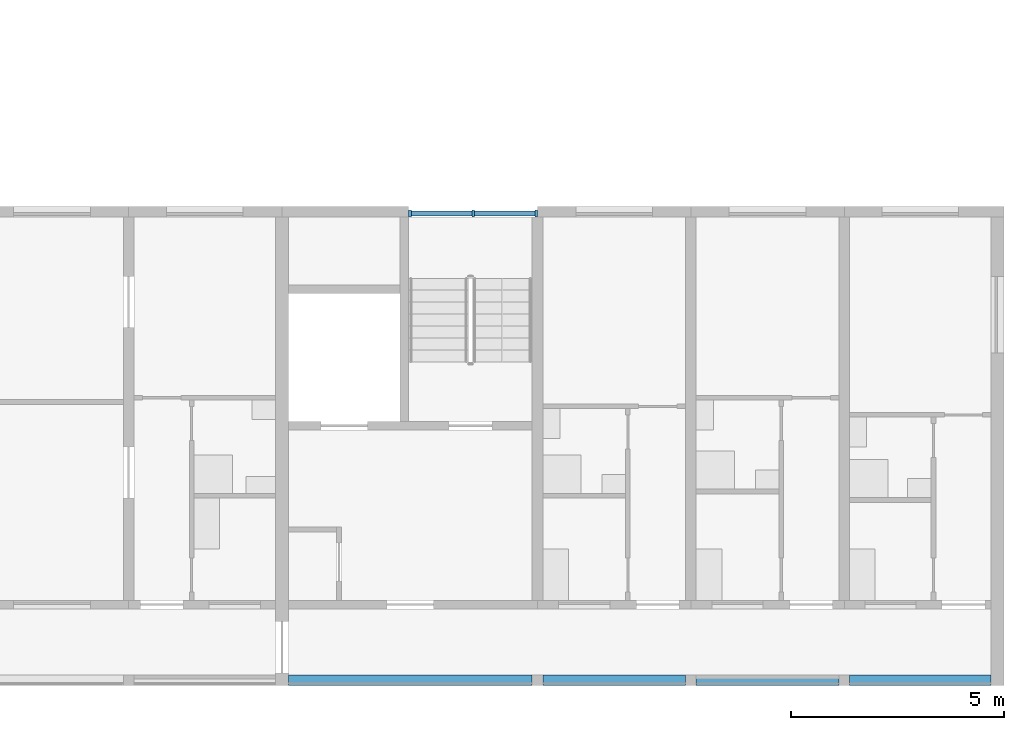
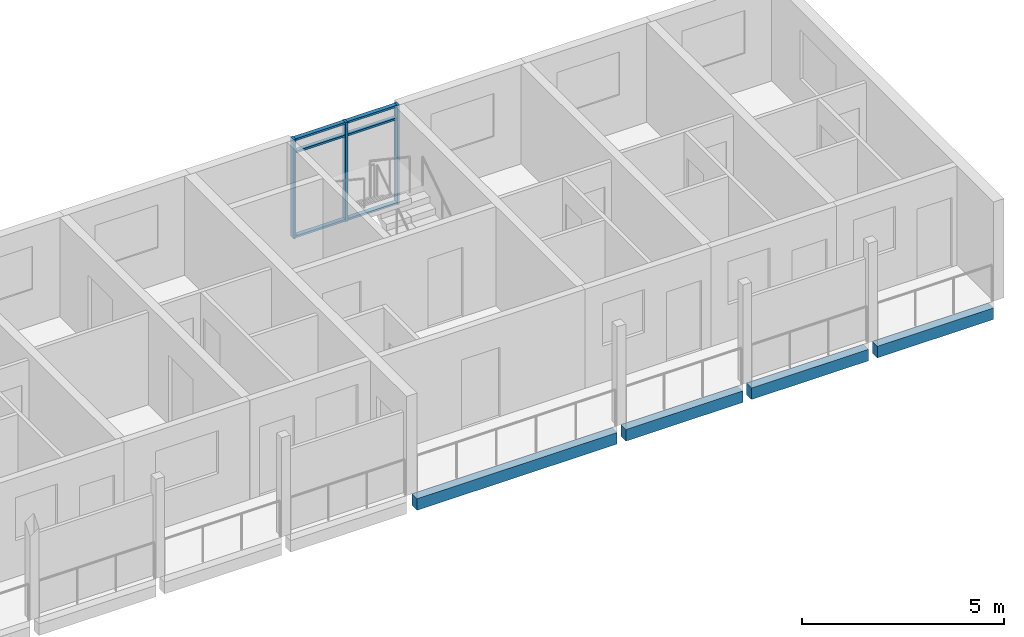
# One storey, part 19 of 98: 9 members, 4 beams, 1 element without a shape of its own.
"""IFC4 building model written with IfcOpenShell, lengths in metres."""

from ifc_helpers import new_model, si_unit, direction, frame, origin, origin_2d, place, context, subcontext, project, spatial, rectangle, extrude, material, material_profile, profile_set, type_object, element, aggregate, save


model = new_model("IFC4")

# Units and contexts
model_context = context("Model", 3, precision=1e-05, world=origin(), true_north=direction((0.0, 1.0)))
body_context = subcontext(model_context, "Body", "Model", "MODEL_VIEW")
ifc_project = project(units=[si_unit("LENGTHUNIT", "METRE"), si_unit("AREAUNIT", "SQUARE_METRE"), si_unit("VOLUMEUNIT", "CUBIC_METRE"), si_unit("PLANEANGLEUNIT", "RADIAN"), si_unit("MASSUNIT", "GRAM", prefix="KILO")], contexts=[model_context])

# Site, building, storey
site_placement = place(None, origin())
site = spatial("IfcSite", under=ifc_project, at=site_placement, CompositionType="ELEMENT")
building_placement = place(site_placement, origin())
building = spatial("IfcBuilding", under=site, at=building_placement, Name="Ridgestep Commons", CompositionType="ELEMENT")
storey_placement = place(building_placement, frame((0.0, 0.0, 12.0)))
storey = spatial("IfcBuildingStorey", under=building, at=storey_placement, Name="L04", CompositionType="ELEMENT", Elevation=12.0)

# Beams
ifc_material_1 = material(Name="Precast concrete C40/50", Category="concrete")
ifc_material_profile_1 = material_profile(ifc_material_1, rectangle(XDim=0.25, YDim=0.35009765625, at=origin_2d()), Name="PC 250x350")
ifc_profile_set_1 = profile_set([ifc_material_profile_1], Name="Precast concrete C40/50")
beam_type = type_object("IfcBeamType", Name="Loggia edge beam 250 x 350", PredefinedType="SPANDREL", material=ifc_profile_set_1)
beam_1_placement = place(storey_placement, frame((230.949951171875, 11.875, -0.375), z_axis=(1.0, 0.0, 0.0), x_axis=(0.0, 1.0, 0.0)))
element("IfcBeam", 1, at=beam_1_placement, inside=storey, type_object=beam_type, Name="Loggia edge beam D6C L04", PredefinedType="SPANDREL", context=body_context, shape_type="SweptSolid", body=[
    extrude(rectangle(XDim=0.25, YDim=0.35009765625, at=origin_2d()), origin(), (0.0, 0.0, 1.0), 5.72509765625),
])
beam_2_placement = place(storey_placement, frame((236.925048828125, 11.875, -0.375), z_axis=(1.0, 0.0, 0.0), x_axis=(0.0, 1.0, 0.0)))
element("IfcBeam", 2, at=beam_2_placement, inside=storey, type_object=beam_type, Name="Loggia edge beam D6T3 L04", PredefinedType="SPANDREL", context=body_context, shape_type="SweptSolid", body=[
    extrude(rectangle(XDim=0.25, YDim=0.35009765625, at=origin_2d()), origin(), (0.0, 0.0, 1.0), 3.349853515625),
])
beam_3_placement = place(storey_placement, frame((240.52490234375, 11.875, -0.375), z_axis=(1.0, 0.0, 0.0), x_axis=(0.0, 1.0, 0.0)))
element("IfcBeam", 3, at=beam_3_placement, inside=storey, type_object=beam_type, Name="Loggia edge beam D6T2 L04", PredefinedType="SPANDREL", context=body_context, shape_type="SweptSolid", body=[
    extrude(rectangle(XDim=0.25, YDim=0.35009765625, at=origin_2d()), origin(), (0.0, 0.0, 1.0), 3.35009765625),
])
beam_4_placement = place(storey_placement, frame((244.125, 11.875, -0.375), z_axis=(1.0, 0.0, 0.0), x_axis=(0.0, 1.0, 0.0)))
element("IfcBeam", 4, at=beam_4_placement, inside=storey, type_object=beam_type, Name="Loggia edge beam D6T1 L04", PredefinedType="SPANDREL", context=body_context, shape_type="SweptSolid", body=[
    extrude(rectangle(XDim=0.25, YDim=0.35009765625, at=origin_2d()), origin(), (0.0, 0.0, 1.0), 3.324951171875),
])

# Curtain wall, members
ifc_material_2 = material(Name="Aluminium 6063-T6 and glass", Category="aluminium")
curtain_wall_type = type_object("IfcCurtainWallType", Name="Curtain wall stair strip", PredefinedType="NOTDEFINED", material=ifc_material_2)
curtain_wall_placement = place(storey_placement, origin())
curtain_wall = element("IfcCurtainWall", 5, at=curtain_wall_placement, inside=storey, type_object=curtain_wall_type, Name="Curtain wall D6C level 04", PredefinedType="NOTDEFINED")
ifc_material_3 = material(Name="Aluminium 6063-T6", Category="aluminium")
ifc_material_profile_2 = material_profile(ifc_material_3, rectangle(XDim=0.159912109375, YDim=0.06005859375, at=origin_2d()), Name="Mullion 60 x 160")
ifc_profile_set_2 = profile_set([ifc_material_profile_2], Name="Aluminium 6063-T6")
member_type_1 = type_object("IfcMemberType", Name="Mullion 60 x 160", PredefinedType="MULLION", material=ifc_profile_set_2)
member_1_placement = place(storey_placement, frame((233.804931640625, 22.830078125, 0.0), z_axis=(0.0, 0.0, 1.0), x_axis=(0.0, 1.0, 0.0)))
member_1 = element("IfcMember", 6, at=member_1_placement, type_object=member_type_1, Name="CW1 mullion 1", PredefinedType="MULLION", context=body_context, shape_type="SweptSolid", body=[
    extrude(rectangle(XDim=0.159912109375, YDim=0.06005859375, at=origin_2d()), origin(), (0.0, 0.0, 1.0), 3.0),
])
member_2_placement = place(storey_placement, frame((235.28759765625, 22.830078125, 0.0), z_axis=(0.0, 0.0, 1.0), x_axis=(0.0, 1.0, 0.0)))
member_2 = element("IfcMember", 7, at=member_2_placement, type_object=member_type_1, Name="CW1 mullion 2", PredefinedType="MULLION", context=body_context, shape_type="SweptSolid", body=[
    extrude(rectangle(XDim=0.159912109375, YDim=0.06005859375, at=origin_2d()), origin(), (0.0, 0.0, 1.0), 3.0),
])
member_3_placement = place(storey_placement, frame((236.77001953125, 22.830078125, 0.0), z_axis=(0.0, 0.0, 1.0), x_axis=(0.0, 1.0, 0.0)))
member_3 = element("IfcMember", 8, at=member_3_placement, type_object=member_type_1, Name="CW1 mullion 3", PredefinedType="MULLION", context=body_context, shape_type="SweptSolid", body=[
    extrude(rectangle(XDim=0.159912109375, YDim=0.06005859375, at=origin_2d()), origin(), (0.0, 0.0, 1.0), 3.0),
])
ifc_material_4 = material(Name="Aluminium 6063-T6", Category="aluminium")
ifc_material_profile_3 = material_profile(ifc_material_4, rectangle(XDim=0.1201171875, YDim=0.06005859375, at=origin_2d()), Name="Transom 60 x 120")
ifc_profile_set_3 = profile_set([ifc_material_profile_3], Name="Aluminium 6063-T6")
member_type_2 = type_object("IfcMemberType", Name="Transom 60 x 120", PredefinedType="USERDEFINED", material=ifc_profile_set_3)
member_4_placement = place(storey_placement, frame((233.8349609375, 22.830078125, 0.030029296875), z_axis=(1.0, 0.0, 0.0), x_axis=(0.0, 1.0, 0.0)))
member_4 = element("IfcMember", 9, at=member_4_placement, type_object=member_type_2, Name="CW1 transom 1.1", ObjectType="TRANSOM", PredefinedType="USERDEFINED", context=body_context, shape_type="SweptSolid", body=[
    extrude(rectangle(XDim=0.1201171875, YDim=0.06005859375, at=origin_2d()), origin(), (0.0, 0.0, 1.0), 1.422607421875),
])
member_5_placement = place(storey_placement, frame((233.8349609375, 22.830078125, 2.590087890625), z_axis=(1.0, 0.0, 0.0), x_axis=(0.0, 1.0, 0.0)))
member_5 = element("IfcMember", 10, at=member_5_placement, type_object=member_type_2, Name="CW1 transom 1.2", ObjectType="TRANSOM", PredefinedType="USERDEFINED", context=body_context, shape_type="SweptSolid", body=[
    extrude(rectangle(XDim=0.1201171875, YDim=0.06005859375, at=origin_2d()), origin(), (0.0, 0.0, 1.0), 1.422607421875),
])
member_6_placement = place(storey_placement, frame((233.8349609375, 22.830078125, 2.969970703125), z_axis=(1.0, 0.0, 0.0), x_axis=(0.0, 1.0, 0.0)))
member_6 = element("IfcMember", 11, at=member_6_placement, type_object=member_type_2, Name="CW1 transom 1.3", ObjectType="TRANSOM", PredefinedType="USERDEFINED", context=body_context, shape_type="SweptSolid", body=[
    extrude(rectangle(XDim=0.1201171875, YDim=0.06005859375, at=origin_2d()), origin(), (0.0, 0.0, 1.0), 1.422607421875),
])
member_7_placement = place(storey_placement, frame((235.3173828125, 22.830078125, 0.030029296875), z_axis=(1.0, 0.0, 0.0), x_axis=(0.0, 1.0, 0.0)))
member_7 = element("IfcMember", 12, at=member_7_placement, type_object=member_type_2, Name="CW1 transom 2.1", ObjectType="TRANSOM", PredefinedType="USERDEFINED", context=body_context, shape_type="SweptSolid", body=[
    extrude(rectangle(XDim=0.1201171875, YDim=0.06005859375, at=origin_2d()), origin(), (0.0, 0.0, 1.0), 1.422607421875),
])
member_8_placement = place(storey_placement, frame((235.3173828125, 22.830078125, 2.590087890625), z_axis=(1.0, 0.0, 0.0), x_axis=(0.0, 1.0, 0.0)))
member_8 = element("IfcMember", 13, at=member_8_placement, type_object=member_type_2, Name="CW1 transom 2.2", ObjectType="TRANSOM", PredefinedType="USERDEFINED", context=body_context, shape_type="SweptSolid", body=[
    extrude(rectangle(XDim=0.1201171875, YDim=0.06005859375, at=origin_2d()), origin(), (0.0, 0.0, 1.0), 1.422607421875),
])
member_9_placement = place(storey_placement, frame((235.3173828125, 22.830078125, 2.969970703125), z_axis=(1.0, 0.0, 0.0), x_axis=(0.0, 1.0, 0.0)))
member_9 = element("IfcMember", 14, at=member_9_placement, type_object=member_type_2, Name="CW1 transom 2.3", ObjectType="TRANSOM", PredefinedType="USERDEFINED", context=body_context, shape_type="SweptSolid", body=[
    extrude(rectangle(XDim=0.1201171875, YDim=0.06005859375, at=origin_2d()), origin(), (0.0, 0.0, 1.0), 1.422607421875),
])
aggregate(curtain_wall, [member_1, member_2, member_3, member_4, member_5, member_6, member_7, member_8, member_9])

save(model, "model.ifc")
